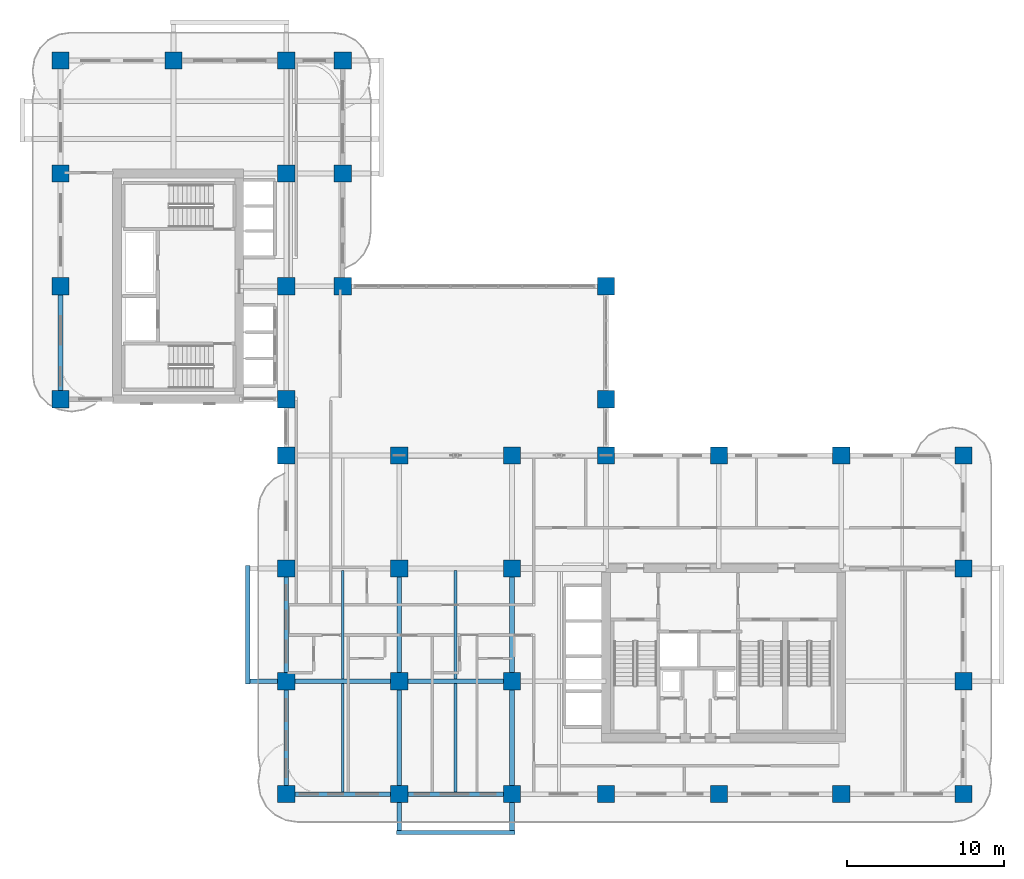
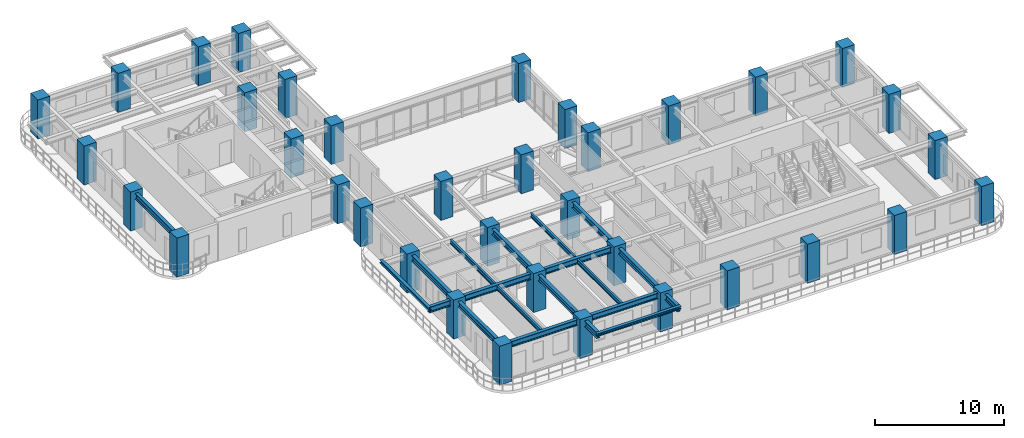
# One storey, part 1 of 21: 36 columns, 17 beams.
"""IFC4 building model written with IfcOpenShell, lengths in metres."""

import ifcopenshell
import ifcopenshell.guid

model = None  # the IFC model being written
_history = None  # IfcOwnerHistory: only IFC2X3 demands one
_inside = {}  # id of a spatial element -> (the spatial element, [elements in it])
_under = {}  # id of a project, library or spatial element -> (it, [spatial elements below it])
_declared = {}  # id of a project -> (the project, [libraries it declares])
_typed = {}  # id of a type object -> (the type object, [elements of that type])
_made_of = {}  # id of a material, layer set ... -> (it, [elements and type objects made of it])


def new_model(schema):
    """Start an empty IFC model of exactly this schema.

    Asked for "IFC4X3", IfcOpenShell would pick the latest addendum, in which some entities
    have other attributes; the version numbers below select the first issue.
    IFC2X3 requires an IfcOwnerHistory on every rooted entity: one is made here for all.
    """
    global model, _history
    if schema == "IFC4X3":
        model = ifcopenshell.file(schema_version=(4, 3, 0, 0))
    else:
        model = ifcopenshell.file(schema=schema)
    _inside.clear()
    _under.clear()
    _declared.clear()
    _typed.clear()
    _made_of.clear()
    _history = None
    if model.schema == "IFC2X3":
        org = make("IfcOrganization", Name="unknown")
        user = make(
            "IfcPersonAndOrganization",
            ThePerson=make("IfcPerson", FamilyName="unknown"),
            TheOrganization=org,
        )
        app = make(
            "IfcApplication",
            ApplicationDeveloper=org,
            Version="unknown",
            ApplicationFullName="unknown",
            ApplicationIdentifier="unknown",
        )
        _history = make(
            "IfcOwnerHistory",
            OwningUser=user,
            OwningApplication=app,
            ChangeAction="ADDED",
            CreationDate=0,
        )
    return model


def make(cls, **values):
    """One entity of the class cls with the attributes given. An attribute that is None is left unset."""
    return model.create_entity(
        cls, **{name: value for name, value in values.items() if value is not None}
    )


def rooted(cls, **values):
    """An entity with a GlobalId (a new one), such as an element, a storey or a relation."""
    return make(cls, GlobalId=ifcopenshell.guid.new(), OwnerHistory=_history, **values)


def si_unit(unit_type, name, prefix=None):
    """IfcSIUnit, for example si_unit("LENGTHUNIT", "METRE", prefix="MILLI")."""
    return make("IfcSIUnit", UnitType=unit_type, Prefix=prefix, Name=name)


def derived_unit(unit_type, elements):
    """IfcDerivedUnit: a product of units, each with its exponent."""
    return make(
        "IfcDerivedUnit",
        Elements=[
            make("IfcDerivedUnitElement", Unit=unit, Exponent=power)
            for unit, power in elements
        ],
        UnitType=unit_type,
    )


def assignment(units):
    """IfcUnitAssignment: the units of a project."""
    return None if units is None else make("IfcUnitAssignment", Units=units)


def point(xyz):
    """IfcCartesianPoint."""
    return None if xyz is None else make("IfcCartesianPoint", Coordinates=xyz)


def direction(xyz):
    """IfcDirection."""
    return None if xyz is None else make("IfcDirection", DirectionRatios=xyz)


def frame(location, z_axis=None, x_axis=None):
    """IfcAxis2Placement3D, a coordinate frame: its origin and axes. An axis left out is left unset."""
    return make(
        "IfcAxis2Placement3D",
        Location=point(location),
        Axis=direction(z_axis),
        RefDirection=direction(x_axis),
    )


def frame_2d(location, x_axis=None):
    """IfcAxis2Placement2D, a coordinate frame in the plane: its origin and x axis."""
    return make(
        "IfcAxis2Placement2D", Location=point(location), RefDirection=direction(x_axis)
    )


def origin():
    """The frame at (0, 0, 0) with its axes left unset."""
    return frame((0.0, 0.0, 0.0))


def origin_2d():
    """The frame at (0, 0) in the plane with its x axis left unset."""
    return frame_2d((0.0, 0.0))


def place(relative_to, where):
    """IfcLocalPlacement: puts the frame where relative to a parent placement (None: the world)."""
    return make(
        "IfcLocalPlacement", PlacementRelTo=relative_to, RelativePlacement=where
    )


def context(
    kind, dimensions, precision=None, world=None, true_north=None, identifier=None
):
    """IfcGeometricRepresentationContext, for example the 3D "Model" context."""
    return make(
        "IfcGeometricRepresentationContext",
        ContextIdentifier=identifier,
        ContextType=kind,
        CoordinateSpaceDimension=dimensions,
        Precision=precision,
        WorldCoordinateSystem=world,
        TrueNorth=true_north,
    )


def subcontext(parent, identifier, kind, view, scale=None):
    """IfcGeometricRepresentationSubContext, for example "Body" below "Model"."""
    return make(
        "IfcGeometricRepresentationSubContext",
        ContextIdentifier=identifier,
        ContextType=kind,
        ParentContext=parent,
        TargetScale=scale,
        TargetView=view,
    )


def project(units=None, contexts=None):
    """IfcProject with its units and contexts."""
    return rooted(
        "IfcProject",
        Name="project",
        RepresentationContexts=contexts,
        UnitsInContext=assignment(units),
    )


def spatial(cls, under=None, at=None, **own):
    """A site, building, storey or space (cls), placed at a placement, below another one or the project."""
    s = rooted(cls, ObjectPlacement=at, **own)
    if under is not None:
        _under.setdefault(under.id(), (under, []))[1].append(s)
    return s


def profile(cls, at=None, kind="AREA", **sizes):
    """A parametric profile (cls). Its sizes go by their IFC names, for example OverallWidth=200.0."""
    return make(cls, ProfileType=kind, Position=at, **sizes)


def rectangle(**sizes):
    """IfcRectangleProfileDef."""
    return profile("IfcRectangleProfileDef", **sizes)


def i_section(**sizes):
    """IfcIShapeProfileDef."""
    return profile("IfcIShapeProfileDef", **sizes)


def extrude(swept, where, along, depth):
    """IfcExtrudedAreaSolid: the profile swept, set in the frame where, extruded along a direction by depth."""
    return make(
        "IfcExtrudedAreaSolid",
        SweptArea=swept,
        Position=where,
        ExtrudedDirection=direction(along),
        Depth=depth,
    )


def shape(context_of_items, identifier, shape_type, items):
    """IfcShapeRepresentation: the items that make up one representation, for example the "Body"."""
    return make(
        "IfcShapeRepresentation",
        ContextOfItems=context_of_items,
        RepresentationIdentifier=identifier,
        RepresentationType=shape_type,
        Items=items,
    )


def source(mapping_origin, context_of_items, identifier, shape_type, items):
    """IfcRepresentationMap: a shape defined once, which mapped items show again and again."""
    return make(
        "IfcRepresentationMap",
        MappingOrigin=mapping_origin,
        MappedRepresentation=shape(context_of_items, identifier, shape_type, items),
    )


def transform(
    local_origin,
    x_axis=None,
    y_axis=None,
    z_axis=None,
    scale=None,
    scale2=None,
    scale3=None,
    uniform=True,
):
    """IfcCartesianTransformationOperator3D, or its non-uniform kind. x_axis, y_axis, z_axis: its Axis1, 2, 3."""
    if uniform:
        return make(
            "IfcCartesianTransformationOperator3D",
            Axis1=direction(x_axis),
            Axis2=direction(y_axis),
            LocalOrigin=point(local_origin),
            Scale=scale,
            Axis3=direction(z_axis),
        )
    return make(
        "IfcCartesianTransformationOperator3DnonUniform",
        Axis1=direction(x_axis),
        Axis2=direction(y_axis),
        LocalOrigin=point(local_origin),
        Scale=scale,
        Axis3=direction(z_axis),
        Scale2=scale2,
        Scale3=scale3,
    )


def mapped(mapping_source, mapping_target):
    """IfcMappedItem: shows the shape of a source again, moved by a transform."""
    return make(
        "IfcMappedItem", MappingSource=mapping_source, MappingTarget=mapping_target
    )


def material(Name=None, Category=None):
    """IfcMaterial."""
    return make("IfcMaterial", Name=Name, Category=Category)


def material_profile(
    of_material, cross_section, Name=None, Category=None, Priority=None
):
    """IfcMaterialProfile: a cross section and its material."""
    return make(
        "IfcMaterialProfile",
        Name=Name,
        Material=of_material,
        Profile=cross_section,
        Priority=Priority,
        Category=Category,
    )


def profile_set(profiles, Name=None, composite=None):
    """IfcMaterialProfileSet."""
    return make(
        "IfcMaterialProfileSet",
        Name=Name,
        MaterialProfiles=profiles,
        CompositeProfile=composite,
    )


def made_of(thing, what):
    """Note that an element or type object is made of a material, layer set ...; save() writes the relation."""
    if what is not None:
        _made_of.setdefault(what.id(), (what, []))[1].append(thing)
    return thing


def type_object(cls, material=None, **own):
    """A type object (cls), such as IfcWallType, which elements share."""
    return made_of(rooted(cls, **own), material)


def type_shapes(of_type, sources):
    """Give a type object the sources (RepresentationMaps) that its elements show as mapped items."""
    of_type.RepresentationMaps = sources


def element(
    cls,
    number,
    at=None,
    inside=None,
    cuts=None,
    type_object=None,
    material=None,
    context=None,
    identifier="Body",
    shape_type=None,
    held_by="IfcProductDefinitionShape",
    body=None,
    shapes=None,
    **own,
):
    """One element of the class cls, such as IfcWall. Its Tag is "e" and its number.

    at: its placement. inside: the storey or other place that contains it. cuts: it is an
    opening in that element (IfcRelVoidsElement). A single representation is given by context,
    identifier, shape_type and body (its items); several are given by shapes. held_by: the class
    of the entity that holds the representations. save() writes the other relations.
    """
    e = rooted(cls, Tag="e%d" % number, ObjectPlacement=at, **own)
    if body is not None:
        shapes = [shape(context, identifier, shape_type, body)]
    if shapes is not None:
        e.Representation = make(held_by, Representations=shapes)
    if inside is not None:
        _inside.setdefault(inside.id(), (inside, []))[1].append(e)
    if cuts is not None:
        rooted(
            "IfcRelVoidsElement", RelatingBuildingElement=cuts, RelatedOpeningElement=e
        )
    if type_object is not None:
        _typed.setdefault(type_object.id(), (type_object, []))[1].append(e)
    return made_of(e, material)


def aggregate(whole, parts):
    """IfcRelAggregates: a whole, such as a stair, and the parts it consists of."""
    return rooted("IfcRelAggregates", RelatingObject=whole, RelatedObjects=parts)


def save(model, path):
    """Write the relations noted so far, then the file.

    IfcRelAggregates (storeys below a building ...), IfcRelContainedInSpatialStructure (elements
    in a storey), IfcRelDefinesByType, IfcRelAssociatesMaterial and IfcRelDeclares: one each for
    every whole, place, type object, material and project.
    """
    for whole, parts in _under.values():
        aggregate(whole, parts)
    for where, things in _inside.values():
        rooted(
            "IfcRelContainedInSpatialStructure",
            RelatedElements=things,
            RelatingStructure=where,
        )
    for kind, things in _typed.values():
        rooted("IfcRelDefinesByType", RelatedObjects=things, RelatingType=kind)
    for what, things in _made_of.values():
        rooted("IfcRelAssociatesMaterial", RelatedObjects=things, RelatingMaterial=what)
    for by, libraries in _declared.values():
        rooted("IfcRelDeclares", RelatingContext=by, RelatedDefinitions=libraries)
    model.write(path)


model = new_model("IFC4")

# Units and contexts
model_context = context("Model", 3, precision=1e-05, world=origin(), true_north=direction((0.0, 1.0)))
body_context = subcontext(model_context, "Body", "Model", "MODEL_VIEW")
ifc_project = project(units=[si_unit("LENGTHUNIT", "METRE"), si_unit("AREAUNIT", "SQUARE_METRE"), si_unit("VOLUMEUNIT", "CUBIC_METRE"), si_unit("PLANEANGLEUNIT", "RADIAN"), si_unit("MASSUNIT", "GRAM", prefix="KILO"), si_unit("THERMODYNAMICTEMPERATUREUNIT", "KELVIN"), si_unit("POWERUNIT", "WATT"), derived_unit("THERMALTRANSMITTANCEUNIT", [(si_unit("POWERUNIT", "WATT"), 1), (si_unit("AREAUNIT", "SQUARE_METRE"), -1), (si_unit("THERMODYNAMICTEMPERATUREUNIT", "KELVIN"), -1)])], contexts=[model_context])

# Site, building, storey
site_placement = place(None, origin())
site = spatial("IfcSite", under=ifc_project, at=site_placement, CompositionType="ELEMENT")
building_placement = place(site_placement, origin())
building = spatial("IfcBuilding", under=site, at=building_placement, Name="Zahravan Archway Hotel and Residences", CompositionType="ELEMENT")
storey_placement = place(building_placement, frame((0.0, 0.0, 65.699951171875)))
storey = spatial("IfcBuildingStorey", under=building, at=storey_placement, Name="L15", CompositionType="ELEMENT", Elevation=65.699951171875)

# Columns
ifc_material_1 = material(Name="Concrete C70/85", Category="concrete")
ifc_material_profile_1 = material_profile(ifc_material_1, rectangle(XDim=1.10009765625, YDim=1.10009765625, at=origin_2d()), Name="RC 1100x1100", Category="concrete")
ifc_profile_set_1 = profile_set([ifc_material_profile_1], Name="Concrete C70/85")
column_type = type_object("IfcColumnType", Name="COL-RC-1100", PredefinedType="COLUMN", material=ifc_profile_set_1)
shared_shape_1 = source(origin(), body_context, "Body", "SweptSolid", [
    extrude(rectangle(XDim=1.10009765625, YDim=1.10009765625, at=origin_2d()), origin(), (0.0, 0.0, 1.0), 3.699951171875),
])
for number, where, z_axis, x_axis, name in (
    (1, (0.0, 25.199951171875, 0.0), (0.0, 0.0, 1.0), (1.0, 0.0, 0.0), "L15 Column 1-E"),
    (2, (0.0, 32.39990234375, 0.0), (0.0, 0.0, 1.0), (1.0, 0.0, 0.0), "L15 Column 1-F"),
    (3, (0.0, 39.60009765625, 0.0), (0.0, 0.0, 1.0), (1.0, 0.0, 0.0), "L15 Column 1-G"),
    (4, (0.0, 46.800048828125, 0.0), (0.0, 0.0, 1.0), (1.0, 0.0, 0.0), "L15 Column 1-H"),
    (5, (7.199951171875, 46.800048828125, 0.0), (0.0, 0.0, 1.0), (1.0, 0.0, 0.0), "L15 Column 2-H"),
    (6, (14.39990234375, 0.0, 0.0), (0.0, 0.0, 1.0), (1.0, 0.0, 0.0), "L15 Column 3-A"),
    (7, (14.39990234375, 7.199951171875, 0.0), (0.0, 0.0, 1.0), (1.0, 0.0, 0.0), "L15 Column 3-B"),
    (8, (14.39990234375, 14.39990234375, 0.0), (0.0, 0.0, 1.0), (1.0, 0.0, 0.0), "L15 Column 3-C"),
    (9, (14.39990234375, 21.60009765625, 0.0), (0.0, 0.0, 1.0), (1.0, 0.0, 0.0), "L15 Column 3-D"),
    (10, (14.39990234375, 25.199951171875, 0.0), (0.0, 0.0, 1.0), (1.0, 0.0, 0.0), "L15 Column 3-E"),
    (11, (14.39990234375, 32.39990234375, 0.0), (0.0, 0.0, 1.0), (1.0, 0.0, 0.0), "L15 Column 3-F"),
    (12, (14.39990234375, 39.60009765625, 0.0), (0.0, 0.0, 1.0), (1.0, 0.0, 0.0), "L15 Column 3-G"),
    (13, (14.39990234375, 46.800048828125, 0.0), (0.0, 0.0, 1.0), (1.0, 0.0, 0.0), "L15 Column 3-H"),
    (14, (21.60009765625, 0.0, 0.0), (0.0, 0.0, 1.0), (1.0, 0.0, 0.0), "L15 Column 4-A"),
    (15, (21.60009765625, 7.199951171875, 0.0), (0.0, 0.0, 1.0), (1.0, 0.0, 0.0), "L15 Column 4-B"),
    (16, (21.60009765625, 14.39990234375, 0.0), (0.0, 0.0, 1.0), (1.0, 0.0, 0.0), "L15 Column 4-C"),
    (17, (21.60009765625, 21.60009765625, 0.0), (0.0, 0.0, 1.0), (1.0, 0.0, 0.0), "L15 Column 4-D"),
    (18, (28.800048828125, 0.0, 0.0), (0.0, 0.0, 1.0), (1.0, 0.0, 0.0), "L15 Column 5-A"),
    (19, (28.800048828125, 7.199951171875, 0.0), (0.0, 0.0, 1.0), (1.0, 0.0, 0.0), "L15 Column 5-B"),
    (20, (28.800048828125, 14.39990234375, 0.0), (0.0, 0.0, 1.0), (1.0, 0.0, 0.0), "L15 Column 5-C"),
    (21, (28.800048828125, 21.60009765625, 0.0), (0.0, 0.0, 1.0), (1.0, 0.0, 0.0), "L15 Column 5-D"),
    (22, (34.800048828125, 0.0, 0.0), (0.0, 0.0, 1.0), (1.0, 0.0, 0.0), "L15 Column 6-A"),
    (23, (34.800048828125, 21.60009765625, 0.0), (0.0, 0.0, 1.0), (1.0, 0.0, 0.0), "L15 Column 6-D"),
    (24, (34.800048828125, 25.199951171875, 0.0), (0.0, 0.0, 1.0), (1.0, 0.0, 0.0), "L15 Column 6-E"),
    (25, (34.800048828125, 32.39990234375, 0.0), (0.0, 0.0, 1.0), (1.0, 0.0, 0.0), "L15 Column 6-F"),
    (26, (42.0, 0.0, 0.0), (0.0, 0.0, 1.0), (1.0, 0.0, 0.0), "L15 Column 7-A"),
    (27, (42.0, 21.60009765625, 0.0), (0.0, 0.0, 1.0), (1.0, 0.0, 0.0), "L15 Column 7-D"),
    (28, (49.800048828125, 0.0, 0.0), (0.0, 0.0, 1.0), (1.0, 0.0, 0.0), "L15 Column 8-A"),
    (29, (49.800048828125, 21.60009765625, 0.0), (0.0, 0.0, 1.0), (1.0, 0.0, 0.0), "L15 Column 8-D"),
    (30, (57.60009765625, 0.0, 0.0), (0.0, 0.0, 1.0), (1.0, 0.0, 0.0), "L15 Column 9-A"),
    (31, (57.60009765625, 7.199951171875, 0.0), (0.0, 0.0, 1.0), (1.0, 0.0, 0.0), "L15 Column 9-B"),
    (32, (57.60009765625, 14.39990234375, 0.0), (0.0, 0.0, 1.0), (1.0, 0.0, 0.0), "L15 Column 9-C"),
    (33, (57.60009765625, 21.60009765625, 0.0), (0.0, 0.0, 1.0), (1.0, 0.0, 0.0), "L15 Column 9-D"),
    (34, (18.0, 32.39990234375, 0.0), (0.0, 0.0, 1.0), (1.0, 0.0, 0.0), "L15 Column 3B-F"),
    (35, (18.0, 39.60009765625, 0.0), (0.0, 0.0, 1.0), (1.0, 0.0, 0.0), "L15 Column 3B-G"),
    (36, (18.0, 46.800048828125, 0.0), (0.0, 0.0, 1.0), (1.0, 0.0, 0.0), "L15 Column 3B-H"),
):
    element("IfcColumn", number, at=place(storey_placement, frame(where, z_axis=z_axis, x_axis=x_axis)), inside=storey, type_object=column_type, Name=name, PredefinedType="COLUMN", context=body_context, shape_type="MappedRepresentation", body=[
        mapped(shared_shape_1, transform((0.0, 0.0, 0.0), scale=1.0)),
    ])

# Beams
ifc_material_2 = material(Name="Structural Steel S355JR", Category="steel")
ifc_material_profile_2 = material_profile(ifc_material_2, i_section(OverallWidth=0.280029296875, OverallDepth=0.280029296875, WebThickness=0.010498046875, FlangeThickness=0.01806640625, FilletRadius=0.02392578125, at=origin_2d()), Name="HEB 280", Category="steel")
ifc_profile_set_2 = profile_set([ifc_material_profile_2], Name="Structural Steel S355JR")
beam_type_1 = type_object("IfcBeamType", Name="BM-SPN-HEB280", PredefinedType="SPANDREL", material=ifc_profile_set_2)
shared_shape_2 = source(origin(), body_context, "Body", "SweptSolid", [
    extrude(i_section(OverallWidth=0.280029296875, OverallDepth=0.280029296875, WebThickness=0.010498046875, FlangeThickness=0.01806640625, FilletRadius=0.02392578125, at=origin_2d()), origin(), (0.0, 0.0, 1.0), 7.56005859375),
])
type_shapes(beam_type_1, [shared_shape_2])
for number, where, z_axis, x_axis, name in (
    (37, (11.949951171875, 7.02001953125, 3.31005859375), (0.0, 1.0, 0.0), (-1.0, 0.0, 0.0), "L16 WA Balcony Edge Spandrel"),
    (38, (21.419921875, -2.449951171875, 3.31005859375), (1.0, 0.0, 0.0), (0.0, 1.0, 0.0), "L16 SA Balcony Edge Spandrel"),
):
    element("IfcBeam", number, at=place(storey_placement, frame(where, z_axis=z_axis, x_axis=x_axis)), inside=storey, type_object=beam_type_1, Name=name, PredefinedType="SPANDREL", context=body_context, shape_type="MappedRepresentation", body=[
        mapped(shared_shape_2, transform((0.0, 0.0, 0.0), scale=1.0)),
    ])
ifc_material_profile_3 = material_profile(ifc_material_2, i_section(OverallWidth=0.300048828125, OverallDepth=0.550048828125, WebThickness=0.014892578125, FlangeThickness=0.029052734375, FilletRadius=0.027099609375, at=origin_2d()), Name="HEB 550", Category="steel")
ifc_profile_set_3 = profile_set([ifc_material_profile_3], Name="Structural Steel S355JR")
beam_type_2 = type_object("IfcBeamType", Name="BM-PRI-HEB550", PredefinedType="BEAM", material=ifc_profile_set_3)
shared_shape_3 = source(origin(), body_context, "Body", "SweptSolid", [
    extrude(i_section(OverallWidth=0.300048828125, OverallDepth=0.550048828125, WebThickness=0.014892578125, FlangeThickness=0.029052734375, FilletRadius=0.027099609375, at=origin_2d()), origin(), (0.0, 0.0, 1.0), 7.2001953125),
])
type_shapes(beam_type_2, [shared_shape_3])
beam_1_placement = place(storey_placement, frame((14.39990234375, 0.0, 3.175048828125), z_axis=(1.0, 0.0, 0.0), x_axis=(0.0, 1.0, 0.0)))
element("IfcBeam", 39, at=beam_1_placement, inside=storey, type_object=beam_type_2, Name="L15 Primary Girder EW-01", PredefinedType="BEAM", context=body_context, shape_type="MappedRepresentation", body=[
    mapped(shared_shape_3, transform((0.0, 0.0, 0.0), scale=1.0)),
])
shared_shape_4 = source(origin(), body_context, "Body", "SweptSolid", [
    extrude(i_section(OverallWidth=0.300048828125, OverallDepth=0.550048828125, WebThickness=0.014892578125, FlangeThickness=0.029052734375, FilletRadius=0.027099609375, at=origin_2d()), origin(), (0.0, 0.0, 1.0), 7.199951171875),
])
for number, where, z_axis, x_axis, name in (
    (40, (21.60009765625, 0.0, 3.175048828125), (1.0, 0.0, 0.0), (0.0, 1.0, 0.0), "L15 Primary Girder EW-02"),
    (41, (21.60009765625, 7.199951171875, 3.175048828125), (1.0, 0.0, 0.0), (0.0, 1.0, 0.0), "L15 Primary Girder EW-08"),
    (42, (0.0, 25.199951171875, 3.175048828125), (0.0, 1.0, 0.0), (-1.0, 0.0, 0.0), "L15 Primary Girder NS-26"),
    (43, (14.39990234375, 0.0, 3.175048828125), (0.0, 1.0, 0.0), (-1.0, 0.0, 0.0), "L15 Primary Girder NS-30"),
    (44, (14.39990234375, 7.199951171875, 3.175048828125), (0.0, 1.0, 0.0), (-1.0, 0.0, 0.0), "L15 Primary Girder NS-31"),
    (45, (21.60009765625, 7.199951171875, 3.175048828125), (0.0, 1.0, 0.0), (-1.0, 0.0, 0.0), "L15 Primary Girder NS-38"),
    (46, (28.800048828125, 7.199951171875, 3.175048828125), (0.0, 1.0, 0.0), (-1.0, 0.0, 0.0), "L15 Primary Girder NS-41"),
):
    element("IfcBeam", number, at=place(storey_placement, frame(where, z_axis=z_axis, x_axis=x_axis)), inside=storey, type_object=beam_type_2, Name=name, PredefinedType="BEAM", context=body_context, shape_type="MappedRepresentation", body=[
        mapped(shared_shape_4, transform((0.0, 0.0, 0.0), scale=1.0)),
    ])
ifc_material_profile_4 = material_profile(ifc_material_2, i_section(OverallWidth=0.179931640625, OverallDepth=0.39990234375, WebThickness=0.008544921875, FlangeThickness=0.013427734375, FilletRadius=0.02099609375, at=origin_2d()), Name="IPE 400", Category="steel")
ifc_profile_set_4 = profile_set([ifc_material_profile_4], Name="Structural Steel S355JR")
beam_type_3 = type_object("IfcBeamType", Name="BM-JST-IPE400", PredefinedType="JOIST", material=ifc_profile_set_4)
shared_shape_5 = source(origin(), body_context, "Body", "SweptSolid", [
    extrude(i_section(OverallWidth=0.179931640625, OverallDepth=0.39990234375, WebThickness=0.008544921875, FlangeThickness=0.013427734375, FilletRadius=0.02099609375, at=origin_2d()), origin(), (0.0, 0.0, 1.0), 6.904052734375),
])
type_shapes(beam_type_3, [shared_shape_5])
for number, where, z_axis, x_axis, name in (
    (47, (18.0, 0.14794921875, 3.25), (0.0, 1.0, 0.0), (-1.0, 0.0, 0.0), "L15 Composite Floor Joist 01"),
    (48, (25.199951171875, 0.14794921875, 3.25), (0.0, 1.0, 0.0), (-1.0, 0.0, 0.0), "L15 Composite Floor Joist 02"),
    (49, (18.0, 7.347900390625, 3.25), (0.0, 1.0, 0.0), (-1.0, 0.0, 0.0), "L15 Composite Floor Joist 05"),
    (50, (25.199951171875, 7.347900390625, 3.25), (0.0, 1.0, 0.0), (-1.0, 0.0, 0.0), "L15 Composite Floor Joist 06"),
):
    element("IfcBeam", number, at=place(storey_placement, frame(where, z_axis=z_axis, x_axis=x_axis)), inside=storey, type_object=beam_type_3, Name=name, PredefinedType="JOIST", context=body_context, shape_type="MappedRepresentation", body=[
        mapped(shared_shape_5, transform((0.0, 0.0, 0.0), scale=1.0)),
    ])
shared_shape_6 = source(origin(), body_context, "Body", "SweptSolid", [
    extrude(i_section(OverallWidth=0.300048828125, OverallDepth=0.550048828125, WebThickness=0.014892578125, FlangeThickness=0.029052734375, FilletRadius=0.027099609375, at=origin_2d()), origin(), (0.0, 0.0, 1.0), 9.650146484375),
])
beam_2_placement = place(storey_placement, frame((11.949951171875, 7.199951171875, 3.175048828125), z_axis=(1.0, 0.0, 0.0), x_axis=(0.0, 1.0, 0.0)))
element("IfcBeam", 51, at=beam_2_placement, inside=storey, type_object=beam_type_2, Name="L15 Primary Girder EW-07", PredefinedType="BEAM", context=body_context, shape_type="MappedRepresentation", body=[
    mapped(shared_shape_6, transform((0.0, 0.0, 0.0), scale=1.0)),
])
shared_shape_7 = source(origin(), body_context, "Body", "SweptSolid", [
    extrude(i_section(OverallWidth=0.300048828125, OverallDepth=0.550048828125, WebThickness=0.014892578125, FlangeThickness=0.029052734375, FilletRadius=0.027099609375, at=origin_2d()), origin(), (0.0, 0.0, 1.0), 9.64990234375),
])
for number, where, z_axis, x_axis, name in (
    (52, (21.60009765625, -2.449951171875, 3.175048828125), (0.0, 1.0, 0.0), (-1.0, 0.0, 0.0), "L15 Primary Girder NS-37"),
    (53, (28.800048828125, -2.449951171875, 3.175048828125), (0.0, 1.0, 0.0), (-1.0, 0.0, 0.0), "L15 Primary Girder NS-40"),
):
    element("IfcBeam", number, at=place(storey_placement, frame(where, z_axis=z_axis, x_axis=x_axis)), inside=storey, type_object=beam_type_2, Name=name, PredefinedType="BEAM", context=body_context, shape_type="MappedRepresentation", body=[
        mapped(shared_shape_7, transform((0.0, 0.0, 0.0), scale=1.0)),
    ])

save(model, "model.ifc")
